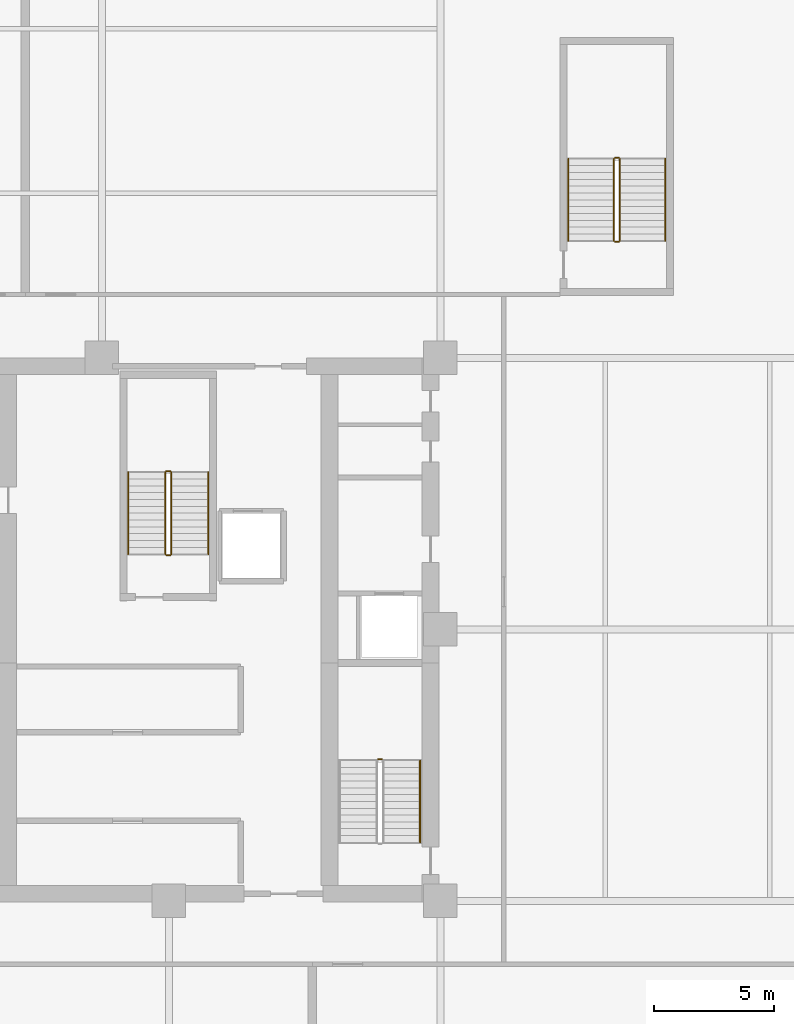
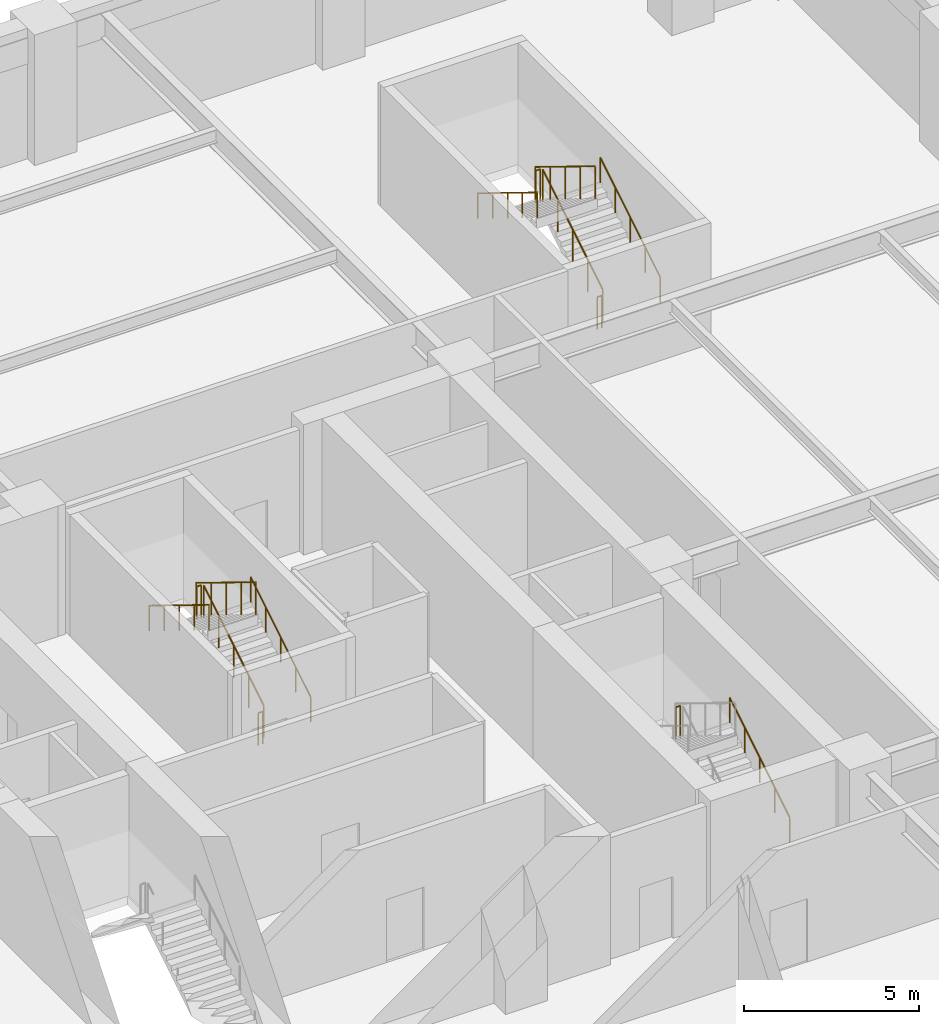
# One storey, part 6 of 6: 14 railings.
"""IFC4 building model written with IfcOpenShell, lengths in metres."""

from ifc_helpers import new_model, si_unit, direction, frame, origin, origin_2d, place, context, subcontext, project, spatial, circle, extrude, material, type_object, element, save


model = new_model("IFC4")

# Units and contexts
model_context = context("Model", 3, precision=1e-05, world=origin(), true_north=direction((0.0, 1.0)))
body_context = subcontext(model_context, "Body", "Model", "MODEL_VIEW")
ifc_project = project(units=[si_unit("LENGTHUNIT", "METRE"), si_unit("AREAUNIT", "SQUARE_METRE"), si_unit("VOLUMEUNIT", "CUBIC_METRE"), si_unit("PLANEANGLEUNIT", "RADIAN"), si_unit("MASSUNIT", "GRAM", prefix="KILO")], contexts=[model_context])

# Site, building, storey
site_placement = place(None, origin())
site = spatial("IfcSite", under=ifc_project, at=site_placement, CompositionType="ELEMENT")
building_placement = place(site_placement, origin())
building = spatial("IfcBuilding", under=site, at=building_placement, Name="Nhamokura Convention Tower", CompositionType="ELEMENT")
storey_placement = place(building_placement, frame((0.0, 0.0, -4.550048828125)))
storey = spatial("IfcBuildingStorey", under=building, at=storey_placement, Name="B01", CompositionType="ELEMENT", Elevation=-4.550048828125)

# Railings
ifc_material_1 = material(Name="Anodised bronze stainless steel", Category="steel")
railing_type_1 = type_object("IfcRailingType", Name="StairWallHandrail_900", PredefinedType="HANDRAIL", material=ifc_material_1)
railing_1_placement = place(storey_placement, frame((42.5, 23.10009765625, 0.175048828125)))
element("IfcRailing", 1, at=railing_1_placement, inside=storey, type_object=railing_type_1, Name="B01 ST-02 stair handrail 1", PredefinedType="HANDRAIL", context=body_context, shape_type="SweptSolid", body=[
    extrude(circle(Radius=0.02392578125, at=origin_2d()), frame((0.0, 0.0, 0.8759765625), z_axis=(0.0, 0.852155044755, 0.523289384279), x_axis=(-1.0, 0.0, 0.0)), (0.0, 0.0, 1.0), 4.01318359375),
    extrude(circle(Radius=0.02099609375, at=origin_2d()), origin(), (0.0, 0.0, 1.0), 0.851806640625),
    extrude(circle(Radius=0.02099609375, at=origin_2d()), frame((0.0, 0.85498046875, 0.52490234375)), (0.0, 0.0, 1.0), 0.851806640625),
    extrude(circle(Radius=0.02099609375, at=origin_2d()), frame((0.0, 1.7099609375, 1.050048828125)), (0.0, 0.0, 1.0), 0.851806640625),
    extrude(circle(Radius=0.02099609375, at=origin_2d()), frame((0.0, 2.56494140625, 1.5751953125)), (0.0, 0.0, 1.0), 0.851806640625),
    extrude(circle(Radius=0.02099609375, at=origin_2d()), frame((0.0, 3.419921875, 2.10009765625)), (0.0, 0.0, 1.0), 0.851806640625),
])
railing_2_placement = place(storey_placement, frame((33.64990234375, 35.14990234375, 0.175048828125)))
element("IfcRailing", 2, at=railing_2_placement, inside=storey, type_object=railing_type_1, Name="B01 ST-03 stair handrail 1", PredefinedType="HANDRAIL", context=body_context, shape_type="SweptSolid", body=[
    extrude(circle(Radius=0.02392578125, at=origin_2d()), frame((0.0, 0.0, 0.8759765625), z_axis=(0.0, 0.852171701593, 0.523262258341), x_axis=(-1.0, 0.0, 0.0)), (0.0, 0.0, 1.0), 4.013427734375),
    extrude(circle(Radius=0.02099609375, at=origin_2d()), origin(), (0.0, 0.0, 1.0), 0.851806640625),
    extrude(circle(Radius=0.02099609375, at=origin_2d()), frame((0.0, 0.85498046875, 0.52490234375)), (0.0, 0.0, 1.0), 0.851806640625),
    extrude(circle(Radius=0.02099609375, at=origin_2d()), frame((0.0, 1.7099609375, 1.050048828125)), (0.0, 0.0, 1.0), 0.851806640625),
    extrude(circle(Radius=0.02099609375, at=origin_2d()), frame((0.0, 2.565185546875, 1.5751953125)), (0.0, 0.0, 1.0), 0.851806640625),
    extrude(circle(Radius=0.02099609375, at=origin_2d()), frame((0.0, 3.420166015625, 2.10009765625)), (0.0, 0.0, 1.0), 0.851806640625),
])
railing_3_placement = place(storey_placement, frame((30.300048828125, 38.570068359375, 2.449951171875)))
element("IfcRailing", 3, at=railing_3_placement, inside=storey, type_object=railing_type_1, Name="B01 ST-03 stair handrail 2", PredefinedType="HANDRAIL", context=body_context, shape_type="SweptSolid", body=[
    extrude(circle(Radius=0.02392578125, at=origin_2d()), frame((0.0, 0.0, 0.8759765625), z_axis=(0.0, -0.852171701593, 0.523262258341), x_axis=(1.0, 0.0, 0.0)), (0.0, 0.0, 1.0), 4.013427734375),
    extrude(circle(Radius=0.02099609375, at=origin_2d()), origin(), (0.0, 0.0, 1.0), 0.851806640625),
    extrude(circle(Radius=0.02099609375, at=origin_2d()), frame((0.0, -0.85498046875, 0.52490234375)), (0.0, 0.0, 1.0), 0.851806640625),
    extrude(circle(Radius=0.02099609375, at=origin_2d()), frame((0.0, -1.7099609375, 1.050048828125)), (0.0, 0.0, 1.0), 0.851806640625),
    extrude(circle(Radius=0.02099609375, at=origin_2d()), frame((0.0, -2.565185546875, 1.5751953125)), (0.0, 0.0, 1.0), 0.851806640625),
    extrude(circle(Radius=0.02099609375, at=origin_2d()), frame((0.0, -3.420166015625, 2.10009765625)), (0.0, 0.0, 1.0), 0.851806640625),
])
railing_4_placement = place(storey_placement, frame((52.75, 48.25, 0.175048828125)))
element("IfcRailing", 4, at=railing_4_placement, inside=storey, type_object=railing_type_1, Name="B01 ST-05 stair handrail 1", PredefinedType="HANDRAIL", context=body_context, shape_type="SweptSolid", body=[
    extrude(circle(Radius=0.02392578125, at=origin_2d()), frame((0.0, 0.0, 0.8759765625), z_axis=(0.0, 0.852155044755, 0.523289384279), x_axis=(-1.0, 0.0, 0.0)), (0.0, 0.0, 1.0), 4.01318359375),
    extrude(circle(Radius=0.02099609375, at=origin_2d()), origin(), (0.0, 0.0, 1.0), 0.851806640625),
    extrude(circle(Radius=0.02099609375, at=origin_2d()), frame((0.0, 0.85498046875, 0.52490234375)), (0.0, 0.0, 1.0), 0.851806640625),
    extrude(circle(Radius=0.02099609375, at=origin_2d()), frame((0.0, 1.7099609375, 1.050048828125)), (0.0, 0.0, 1.0), 0.851806640625),
    extrude(circle(Radius=0.02099609375, at=origin_2d()), frame((0.0, 2.56494140625, 1.5751953125)), (0.0, 0.0, 1.0), 0.851806640625),
    extrude(circle(Radius=0.02099609375, at=origin_2d()), frame((0.0, 3.419921875, 2.10009765625)), (0.0, 0.0, 1.0), 0.851806640625),
])
railing_5_placement = place(storey_placement, frame((48.699951171875, 51.669921875, 2.449951171875)))
element("IfcRailing", 5, at=railing_5_placement, inside=storey, type_object=railing_type_1, Name="B01 ST-05 stair handrail 2", PredefinedType="HANDRAIL", context=body_context, shape_type="SweptSolid", body=[
    extrude(circle(Radius=0.02392578125, at=origin_2d()), frame((0.0, 0.0, 0.8759765625), z_axis=(0.0, -0.852155044755, 0.523289384279), x_axis=(1.0, 0.0, 0.0)), (0.0, 0.0, 1.0), 4.01318359375),
    extrude(circle(Radius=0.02099609375, at=origin_2d()), origin(), (0.0, 0.0, 1.0), 0.851806640625),
    extrude(circle(Radius=0.02099609375, at=origin_2d()), frame((0.0, -0.85498046875, 0.52490234375)), (0.0, 0.0, 1.0), 0.851806640625),
    extrude(circle(Radius=0.02099609375, at=origin_2d()), frame((0.0, -1.7099609375, 1.050048828125)), (0.0, 0.0, 1.0), 0.851806640625),
    extrude(circle(Radius=0.02099609375, at=origin_2d()), frame((0.0, -2.56494140625, 1.5751953125)), (0.0, 0.0, 1.0), 0.851806640625),
    extrude(circle(Radius=0.02099609375, at=origin_2d()), frame((0.0, -3.419921875, 2.10009765625)), (0.0, 0.0, 1.0), 0.851806640625),
])
ifc_material_2 = material(Name="Painted tubular steel", Category="steel")
railing_type_2 = type_object("IfcRailingType", Name="StairWellGuardrail_1150", PredefinedType="GUARDRAIL", material=ifc_material_2)
railing_6_placement = place(storey_placement, frame((40.89990234375, 26.570068359375, 2.275146484375)))
element("IfcRailing", 6, at=railing_6_placement, inside=storey, type_object=railing_type_2, Name="B01 ST-02 stair guard 2", PredefinedType="GUARDRAIL", context=body_context, shape_type="SweptSolid", body=[
    extrude(circle(Radius=0.02392578125, at=origin_2d()), frame((0.0, 0.0, 1.1259765625), z_axis=(-1.0, 0.0, 0.0), x_axis=(0.0, -1.0, 0.0)), (0.0, 0.0, 1.0), 0.14990234375),
    extrude(circle(Radius=0.02099609375, at=origin_2d()), origin(), (0.0, 0.0, 1.0), 1.101806640625),
    extrude(circle(Radius=0.02099609375, at=origin_2d()), frame((-0.14990234375, 0.0, 0.0)), (0.0, 0.0, 1.0), 1.101806640625),
])
railing_7_placement = place(storey_placement, frame((32.10009765625, 35.14990234375, 0.175048828125)))
element("IfcRailing", 7, at=railing_7_placement, inside=storey, type_object=railing_type_2, Name="B01 ST-03 stair guard 1", PredefinedType="GUARDRAIL", context=body_context, shape_type="SweptSolid", body=[
    extrude(circle(Radius=0.02392578125, at=origin_2d()), frame((0.0, 0.0, 1.1259765625), z_axis=(0.0, 0.852171701593, 0.523262258341), x_axis=(-1.0, 0.0, 0.0)), (0.0, 0.0, 1.0), 4.013427734375),
    extrude(circle(Radius=0.02099609375, at=origin_2d()), origin(), (0.0, 0.0, 1.0), 1.101806640625),
    extrude(circle(Radius=0.02099609375, at=origin_2d()), frame((0.0, 0.85498046875, 0.52490234375)), (0.0, 0.0, 1.0), 1.101806640625),
    extrude(circle(Radius=0.02099609375, at=origin_2d()), frame((0.0, 1.7099609375, 1.050048828125)), (0.0, 0.0, 1.0), 1.101806640625),
    extrude(circle(Radius=0.02099609375, at=origin_2d()), frame((0.0, 2.565185546875, 1.5751953125)), (0.0, 0.0, 1.0), 1.101806640625),
    extrude(circle(Radius=0.02099609375, at=origin_2d()), frame((0.0, 3.420166015625, 2.10009765625)), (0.0, 0.0, 1.0), 1.101806640625),
])
railing_8_placement = place(storey_placement, frame((32.050048828125, 38.6201171875, 2.275146484375)))
element("IfcRailing", 8, at=railing_8_placement, inside=storey, type_object=railing_type_2, Name="B01 ST-03 stair guard 2", PredefinedType="GUARDRAIL", context=body_context, shape_type="SweptSolid", body=[
    extrude(circle(Radius=0.02392578125, at=origin_2d()), frame((0.0, 0.0, 1.1259765625), z_axis=(-1.0, 0.0, 0.0), x_axis=(0.0, -1.0, 0.0)), (0.0, 0.0, 1.0), 0.150146484375),
    extrude(circle(Radius=0.02099609375, at=origin_2d()), origin(), (0.0, 0.0, 1.0), 1.101806640625),
    extrude(circle(Radius=0.02099609375, at=origin_2d()), frame((-0.150146484375, 0.0, 0.0)), (0.0, 0.0, 1.0), 1.101806640625),
])
railing_9_placement = place(storey_placement, frame((31.85009765625, 38.570068359375, 2.449951171875)))
element("IfcRailing", 9, at=railing_9_placement, inside=storey, type_object=railing_type_2, Name="B01 ST-03 stair guard 3", PredefinedType="GUARDRAIL", context=body_context, shape_type="SweptSolid", body=[
    extrude(circle(Radius=0.02392578125, at=origin_2d()), frame((0.0, 0.0, 1.1259765625), z_axis=(0.0, -0.852171701593, 0.523262258341), x_axis=(1.0, 0.0, 0.0)), (0.0, 0.0, 1.0), 4.013427734375),
    extrude(circle(Radius=0.02099609375, at=origin_2d()), origin(), (0.0, 0.0, 1.0), 1.101806640625),
    extrude(circle(Radius=0.02099609375, at=origin_2d()), frame((0.0, -0.85498046875, 0.52490234375)), (0.0, 0.0, 1.0), 1.101806640625),
    extrude(circle(Radius=0.02099609375, at=origin_2d()), frame((0.0, -1.7099609375, 1.050048828125)), (0.0, 0.0, 1.0), 1.101806640625),
    extrude(circle(Radius=0.02099609375, at=origin_2d()), frame((0.0, -2.565185546875, 1.5751953125)), (0.0, 0.0, 1.0), 1.101806640625),
    extrude(circle(Radius=0.02099609375, at=origin_2d()), frame((0.0, -3.420166015625, 2.10009765625)), (0.0, 0.0, 1.0), 1.101806640625),
])
railing_10_placement = place(storey_placement, frame((32.050048828125, 35.10009765625, 0.0)))
element("IfcRailing", 10, at=railing_10_placement, inside=storey, type_object=railing_type_2, Name="B01 ST-03 stair guard 4", PredefinedType="GUARDRAIL", context=body_context, shape_type="SweptSolid", body=[
    extrude(circle(Radius=0.02392578125, at=origin_2d()), frame((0.0, 0.0, 1.1259765625), z_axis=(-1.0, 0.0, 0.0), x_axis=(0.0, -1.0, 0.0)), (0.0, 0.0, 1.0), 0.150146484375),
    extrude(circle(Radius=0.02099609375, at=origin_2d()), origin(), (0.0, 0.0, 1.0), 1.101806640625),
    extrude(circle(Radius=0.02099609375, at=origin_2d()), frame((-0.150146484375, 0.0, 0.0)), (0.0, 0.0, 1.0), 1.101806640625),
])
railing_11_placement = place(storey_placement, frame((50.85009765625, 48.25, 0.175048828125)))
element("IfcRailing", 11, at=railing_11_placement, inside=storey, type_object=railing_type_2, Name="B01 ST-05 stair guard 1", PredefinedType="GUARDRAIL", context=body_context, shape_type="SweptSolid", body=[
    extrude(circle(Radius=0.02392578125, at=origin_2d()), frame((0.0, 0.0, 1.1259765625), z_axis=(0.0, 0.852155044755, 0.523289384279), x_axis=(-1.0, 0.0, 0.0)), (0.0, 0.0, 1.0), 4.01318359375),
    extrude(circle(Radius=0.02099609375, at=origin_2d()), origin(), (0.0, 0.0, 1.0), 1.101806640625),
    extrude(circle(Radius=0.02099609375, at=origin_2d()), frame((0.0, 0.85498046875, 0.52490234375)), (0.0, 0.0, 1.0), 1.101806640625),
    extrude(circle(Radius=0.02099609375, at=origin_2d()), frame((0.0, 1.7099609375, 1.050048828125)), (0.0, 0.0, 1.0), 1.101806640625),
    extrude(circle(Radius=0.02099609375, at=origin_2d()), frame((0.0, 2.56494140625, 1.5751953125)), (0.0, 0.0, 1.0), 1.101806640625),
    extrude(circle(Radius=0.02099609375, at=origin_2d()), frame((0.0, 3.419921875, 2.10009765625)), (0.0, 0.0, 1.0), 1.101806640625),
])
railing_12_placement = place(storey_placement, frame((50.800048828125, 51.719970703125, 2.275146484375)))
element("IfcRailing", 12, at=railing_12_placement, inside=storey, type_object=railing_type_2, Name="B01 ST-05 stair guard 2", PredefinedType="GUARDRAIL", context=body_context, shape_type="SweptSolid", body=[
    extrude(circle(Radius=0.02392578125, at=origin_2d()), frame((0.0, 0.0, 1.1259765625), z_axis=(-1.0, 0.0, 0.0), x_axis=(0.0, -1.0, 0.0)), (0.0, 0.0, 1.0), 0.150146484375),
    extrude(circle(Radius=0.02099609375, at=origin_2d()), origin(), (0.0, 0.0, 1.0), 1.101806640625),
    extrude(circle(Radius=0.02099609375, at=origin_2d()), frame((-0.150146484375, 0.0, 0.0)), (0.0, 0.0, 1.0), 1.101806640625),
])
railing_13_placement = place(storey_placement, frame((50.60009765625, 51.669921875, 2.449951171875)))
element("IfcRailing", 13, at=railing_13_placement, inside=storey, type_object=railing_type_2, Name="B01 ST-05 stair guard 3", PredefinedType="GUARDRAIL", context=body_context, shape_type="SweptSolid", body=[
    extrude(circle(Radius=0.02392578125, at=origin_2d()), frame((0.0, 0.0, 1.1259765625), z_axis=(0.0, -0.852155044755, 0.523289384279), x_axis=(1.0, 0.0, 0.0)), (0.0, 0.0, 1.0), 4.01318359375),
    extrude(circle(Radius=0.02099609375, at=origin_2d()), origin(), (0.0, 0.0, 1.0), 1.101806640625),
    extrude(circle(Radius=0.02099609375, at=origin_2d()), frame((0.0, -0.85498046875, 0.52490234375)), (0.0, 0.0, 1.0), 1.101806640625),
    extrude(circle(Radius=0.02099609375, at=origin_2d()), frame((0.0, -1.7099609375, 1.050048828125)), (0.0, 0.0, 1.0), 1.101806640625),
    extrude(circle(Radius=0.02099609375, at=origin_2d()), frame((0.0, -2.56494140625, 1.5751953125)), (0.0, 0.0, 1.0), 1.101806640625),
    extrude(circle(Radius=0.02099609375, at=origin_2d()), frame((0.0, -3.419921875, 2.10009765625)), (0.0, 0.0, 1.0), 1.101806640625),
])
railing_14_placement = place(storey_placement, frame((50.800048828125, 48.199951171875, 0.0)))
element("IfcRailing", 14, at=railing_14_placement, inside=storey, type_object=railing_type_2, Name="B01 ST-05 stair guard 4", PredefinedType="GUARDRAIL", context=body_context, shape_type="SweptSolid", body=[
    extrude(circle(Radius=0.02392578125, at=origin_2d()), frame((0.0, 0.0, 1.1259765625), z_axis=(-1.0, 0.0, 0.0), x_axis=(0.0, -1.0, 0.0)), (0.0, 0.0, 1.0), 0.150146484375),
    extrude(circle(Radius=0.02099609375, at=origin_2d()), origin(), (0.0, 0.0, 1.0), 1.101806640625),
    extrude(circle(Radius=0.02099609375, at=origin_2d()), frame((-0.150146484375, 0.0, 0.0)), (0.0, 0.0, 1.0), 1.101806640625),
])

save(model, "model.ifc")
